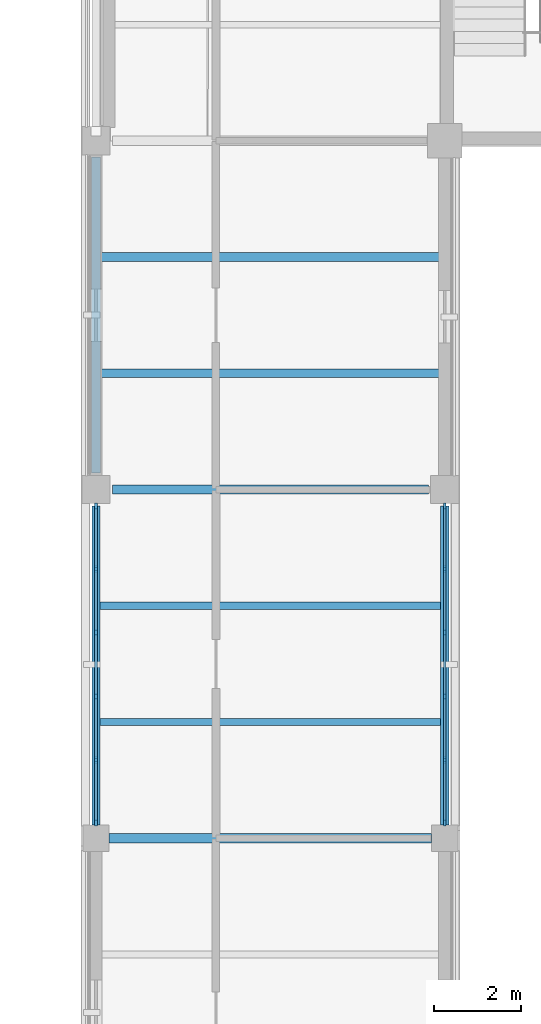
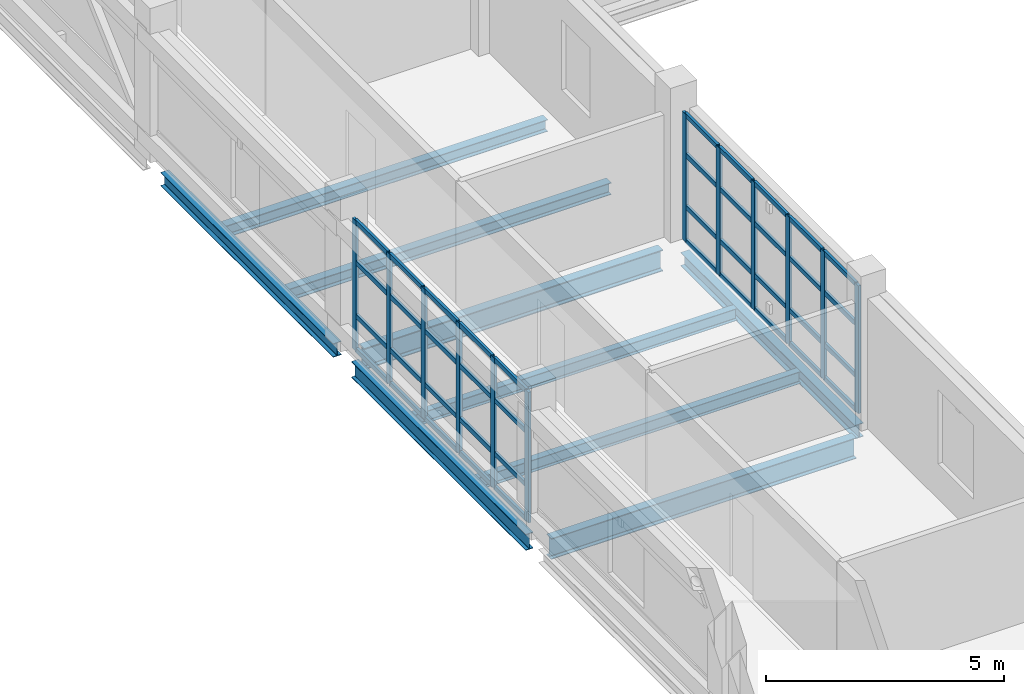
# One storey, part 32 of 126: 52 members, 9 beams, 2 elements without a shape of their own.
"""IFC4 building model written with IfcOpenShell, lengths in metres."""

import ifcopenshell
import ifcopenshell.guid

model = None  # the IFC model being written
_history = None  # IfcOwnerHistory: only IFC2X3 demands one
_inside = {}  # id of a spatial element -> (the spatial element, [elements in it])
_under = {}  # id of a project, library or spatial element -> (it, [spatial elements below it])
_declared = {}  # id of a project -> (the project, [libraries it declares])
_typed = {}  # id of a type object -> (the type object, [elements of that type])
_made_of = {}  # id of a material, layer set ... -> (it, [elements and type objects made of it])


def new_model(schema):
    """Start an empty IFC model of exactly this schema.

    Asked for "IFC4X3", IfcOpenShell would pick the latest addendum, in which some entities
    have other attributes; the version numbers below select the first issue.
    IFC2X3 requires an IfcOwnerHistory on every rooted entity: one is made here for all.
    """
    global model, _history
    if schema == "IFC4X3":
        model = ifcopenshell.file(schema_version=(4, 3, 0, 0))
    else:
        model = ifcopenshell.file(schema=schema)
    _inside.clear()
    _under.clear()
    _declared.clear()
    _typed.clear()
    _made_of.clear()
    _history = None
    if model.schema == "IFC2X3":
        org = make("IfcOrganization", Name="unknown")
        user = make(
            "IfcPersonAndOrganization",
            ThePerson=make("IfcPerson", FamilyName="unknown"),
            TheOrganization=org,
        )
        app = make(
            "IfcApplication",
            ApplicationDeveloper=org,
            Version="unknown",
            ApplicationFullName="unknown",
            ApplicationIdentifier="unknown",
        )
        _history = make(
            "IfcOwnerHistory",
            OwningUser=user,
            OwningApplication=app,
            ChangeAction="ADDED",
            CreationDate=0,
        )
    return model


def make(cls, **values):
    """One entity of the class cls with the attributes given. An attribute that is None is left unset."""
    return model.create_entity(
        cls, **{name: value for name, value in values.items() if value is not None}
    )


def rooted(cls, **values):
    """An entity with a GlobalId (a new one), such as an element, a storey or a relation."""
    return make(cls, GlobalId=ifcopenshell.guid.new(), OwnerHistory=_history, **values)


def si_unit(unit_type, name, prefix=None):
    """IfcSIUnit, for example si_unit("LENGTHUNIT", "METRE", prefix="MILLI")."""
    return make("IfcSIUnit", UnitType=unit_type, Prefix=prefix, Name=name)


def derived_unit(unit_type, elements):
    """IfcDerivedUnit: a product of units, each with its exponent."""
    return make(
        "IfcDerivedUnit",
        Elements=[
            make("IfcDerivedUnitElement", Unit=unit, Exponent=power)
            for unit, power in elements
        ],
        UnitType=unit_type,
    )


def assignment(units):
    """IfcUnitAssignment: the units of a project."""
    return None if units is None else make("IfcUnitAssignment", Units=units)


def point(xyz):
    """IfcCartesianPoint."""
    return None if xyz is None else make("IfcCartesianPoint", Coordinates=xyz)


def direction(xyz):
    """IfcDirection."""
    return None if xyz is None else make("IfcDirection", DirectionRatios=xyz)


def frame(location, z_axis=None, x_axis=None):
    """IfcAxis2Placement3D, a coordinate frame: its origin and axes. An axis left out is left unset."""
    return make(
        "IfcAxis2Placement3D",
        Location=point(location),
        Axis=direction(z_axis),
        RefDirection=direction(x_axis),
    )


def frame_2d(location, x_axis=None):
    """IfcAxis2Placement2D, a coordinate frame in the plane: its origin and x axis."""
    return make(
        "IfcAxis2Placement2D", Location=point(location), RefDirection=direction(x_axis)
    )


def origin():
    """The frame at (0, 0, 0) with its axes left unset."""
    return frame((0.0, 0.0, 0.0))


def origin_2d():
    """The frame at (0, 0) in the plane with its x axis left unset."""
    return frame_2d((0.0, 0.0))


def place(relative_to, where):
    """IfcLocalPlacement: puts the frame where relative to a parent placement (None: the world)."""
    return make(
        "IfcLocalPlacement", PlacementRelTo=relative_to, RelativePlacement=where
    )


def context(
    kind, dimensions, precision=None, world=None, true_north=None, identifier=None
):
    """IfcGeometricRepresentationContext, for example the 3D "Model" context."""
    return make(
        "IfcGeometricRepresentationContext",
        ContextIdentifier=identifier,
        ContextType=kind,
        CoordinateSpaceDimension=dimensions,
        Precision=precision,
        WorldCoordinateSystem=world,
        TrueNorth=true_north,
    )


def subcontext(parent, identifier, kind, view, scale=None):
    """IfcGeometricRepresentationSubContext, for example "Body" below "Model"."""
    return make(
        "IfcGeometricRepresentationSubContext",
        ContextIdentifier=identifier,
        ContextType=kind,
        ParentContext=parent,
        TargetScale=scale,
        TargetView=view,
    )


def project(units=None, contexts=None):
    """IfcProject with its units and contexts."""
    return rooted(
        "IfcProject",
        Name="project",
        RepresentationContexts=contexts,
        UnitsInContext=assignment(units),
    )


def spatial(cls, under=None, at=None, **own):
    """A site, building, storey or space (cls), placed at a placement, below another one or the project."""
    s = rooted(cls, ObjectPlacement=at, **own)
    if under is not None:
        _under.setdefault(under.id(), (under, []))[1].append(s)
    return s


def profile(cls, at=None, kind="AREA", **sizes):
    """A parametric profile (cls). Its sizes go by their IFC names, for example OverallWidth=200.0."""
    return make(cls, ProfileType=kind, Position=at, **sizes)


def rectangle(**sizes):
    """IfcRectangleProfileDef."""
    return profile("IfcRectangleProfileDef", **sizes)


def i_section(**sizes):
    """IfcIShapeProfileDef."""
    return profile("IfcIShapeProfileDef", **sizes)


def extrude(swept, where, along, depth):
    """IfcExtrudedAreaSolid: the profile swept, set in the frame where, extruded along a direction by depth."""
    return make(
        "IfcExtrudedAreaSolid",
        SweptArea=swept,
        Position=where,
        ExtrudedDirection=direction(along),
        Depth=depth,
    )


def shape(context_of_items, identifier, shape_type, items):
    """IfcShapeRepresentation: the items that make up one representation, for example the "Body"."""
    return make(
        "IfcShapeRepresentation",
        ContextOfItems=context_of_items,
        RepresentationIdentifier=identifier,
        RepresentationType=shape_type,
        Items=items,
    )


def material(Name=None, Category=None):
    """IfcMaterial."""
    return make("IfcMaterial", Name=Name, Category=Category)


def layer(
    of_material, thickness, ventilated=None, Name=None, Category=None, Priority=None
):
    """IfcMaterialLayer: one layer of a wall or slab, of a material (None: an air gap)."""
    return make(
        "IfcMaterialLayer",
        Material=of_material,
        LayerThickness=thickness,
        IsVentilated=ventilated,
        Name=Name,
        Category=Category,
        Priority=Priority,
    )


def layer_set(layers, Name=None):
    """IfcMaterialLayerSet."""
    return make("IfcMaterialLayerSet", MaterialLayers=layers, LayerSetName=Name)


def material_profile(
    of_material, cross_section, Name=None, Category=None, Priority=None
):
    """IfcMaterialProfile: a cross section and its material."""
    return make(
        "IfcMaterialProfile",
        Name=Name,
        Material=of_material,
        Profile=cross_section,
        Priority=Priority,
        Category=Category,
    )


def profile_set(profiles, Name=None, composite=None):
    """IfcMaterialProfileSet."""
    return make(
        "IfcMaterialProfileSet",
        Name=Name,
        MaterialProfiles=profiles,
        CompositeProfile=composite,
    )


def made_of(thing, what):
    """Note that an element or type object is made of a material, layer set ...; save() writes the relation."""
    if what is not None:
        _made_of.setdefault(what.id(), (what, []))[1].append(thing)
    return thing


def type_object(cls, material=None, **own):
    """A type object (cls), such as IfcWallType, which elements share."""
    return made_of(rooted(cls, **own), material)


def element(
    cls,
    number,
    at=None,
    inside=None,
    cuts=None,
    type_object=None,
    material=None,
    context=None,
    identifier="Body",
    shape_type=None,
    held_by="IfcProductDefinitionShape",
    body=None,
    shapes=None,
    **own,
):
    """One element of the class cls, such as IfcWall. Its Tag is "e" and its number.

    at: its placement. inside: the storey or other place that contains it. cuts: it is an
    opening in that element (IfcRelVoidsElement). A single representation is given by context,
    identifier, shape_type and body (its items); several are given by shapes. held_by: the class
    of the entity that holds the representations. save() writes the other relations.
    """
    e = rooted(cls, Tag="e%d" % number, ObjectPlacement=at, **own)
    if body is not None:
        shapes = [shape(context, identifier, shape_type, body)]
    if shapes is not None:
        e.Representation = make(held_by, Representations=shapes)
    if inside is not None:
        _inside.setdefault(inside.id(), (inside, []))[1].append(e)
    if cuts is not None:
        rooted(
            "IfcRelVoidsElement", RelatingBuildingElement=cuts, RelatedOpeningElement=e
        )
    if type_object is not None:
        _typed.setdefault(type_object.id(), (type_object, []))[1].append(e)
    return made_of(e, material)


def aggregate(whole, parts):
    """IfcRelAggregates: a whole, such as a stair, and the parts it consists of."""
    return rooted("IfcRelAggregates", RelatingObject=whole, RelatedObjects=parts)


def save(model, path):
    """Write the relations noted so far, then the file.

    IfcRelAggregates (storeys below a building ...), IfcRelContainedInSpatialStructure (elements
    in a storey), IfcRelDefinesByType, IfcRelAssociatesMaterial and IfcRelDeclares: one each for
    every whole, place, type object, material and project.
    """
    for whole, parts in _under.values():
        aggregate(whole, parts)
    for where, things in _inside.values():
        rooted(
            "IfcRelContainedInSpatialStructure",
            RelatedElements=things,
            RelatingStructure=where,
        )
    for kind, things in _typed.values():
        rooted("IfcRelDefinesByType", RelatedObjects=things, RelatingType=kind)
    for what, things in _made_of.values():
        rooted("IfcRelAssociatesMaterial", RelatedObjects=things, RelatingMaterial=what)
    for by, libraries in _declared.values():
        rooted("IfcRelDeclares", RelatingContext=by, RelatedDefinitions=libraries)
    model.write(path)


model = new_model("IFC4")

# Units and contexts
model_context = context("Model", 3, precision=1e-05, world=origin(), true_north=direction((0.0, 1.0)))
body_context = subcontext(model_context, "Body", "Model", "MODEL_VIEW")
ifc_project = project(units=[si_unit("LENGTHUNIT", "METRE"), si_unit("AREAUNIT", "SQUARE_METRE"), si_unit("VOLUMEUNIT", "CUBIC_METRE"), si_unit("PLANEANGLEUNIT", "RADIAN"), si_unit("MASSUNIT", "GRAM", prefix="KILO"), derived_unit("THERMALTRANSMITTANCEUNIT", [(si_unit("MASSUNIT", "GRAM", prefix="KILO"), 1), (si_unit("TIMEUNIT", "SECOND"), -3), (si_unit("THERMODYNAMICTEMPERATUREUNIT", "KELVIN"), -1)])], contexts=[model_context])

# Site, building, storey
site_placement = place(None, origin())
site = spatial("IfcSite", under=ifc_project, at=site_placement, CompositionType="ELEMENT")
building_placement = place(site_placement, origin())
building = spatial("IfcBuilding", under=site, at=building_placement, Name="Veyamyaing Civic Hall", CompositionType="ELEMENT")
storey_placement = place(building_placement, frame((0.0, 0.0, 9.89990234375)))
storey = spatial("IfcBuildingStorey", under=building, at=storey_placement, Name="L02", CompositionType="ELEMENT", Elevation=9.89990234375)

# Beams
ifc_material_1 = material(Name="Steel ASTM A992", Category="steel")
ifc_material_profile_1 = material_profile(ifc_material_1, i_section(OverallWidth=0.208984375, OverallDepth=0.532958984375, WebThickness=0.01025390625, FlangeThickness=0.015625, FilletRadius=0.011962890625, at=origin_2d()), Name="W530X92")
ifc_profile_set_1 = profile_set([ifc_material_profile_1], Name="Steel ASTM A992")
beam_type_1 = type_object("IfcBeamType", Name="B-07", PredefinedType="BEAM", material=ifc_profile_set_1)
beam_1_placement = place(storey_placement, frame((0.300048828125, 72.0, -0.551513671875), z_axis=(1.0, 0.0, 0.0), x_axis=(0.0, 1.0, 0.0)))
element("IfcBeam", 1, at=beam_1_placement, inside=storey, type_object=beam_type_1, Name="Girder B-07 L02 Grid K 1-2", PredefinedType="BEAM", context=body_context, shape_type="SweptSolid", body=[
    extrude(i_section(OverallWidth=0.208984375, OverallDepth=0.532958984375, WebThickness=0.01025390625, FlangeThickness=0.015625, FilletRadius=0.011962890625, at=origin_2d()), origin(), (0.0, 0.0, 1.0), 7.39990234375),
])
ifc_material_profile_2 = material_profile(ifc_material_1, i_section(OverallWidth=0.179931640625, OverallDepth=0.4130859375, WebThickness=0.009765625, FlangeThickness=0.01611328125, FilletRadius=0.010009765625, at=origin_2d()), Name="W410X74")
ifc_profile_set_2 = profile_set([ifc_material_profile_2], Name="Steel ASTM A992")
beam_type_2 = type_object("IfcBeamType", Name="B-10", PredefinedType="SPANDREL", material=ifc_profile_set_2)
beam_2_placement = place(storey_placement, frame((0.0, 72.300048828125, -0.491455078125), z_axis=(0.0, 1.0, 0.0), x_axis=(-1.0, 0.0, 0.0)))
element("IfcBeam", 2, at=beam_2_placement, inside=storey, type_object=beam_type_2, Name="Girder B-10 L02 Grid 1 K-L", PredefinedType="SPANDREL", context=body_context, shape_type="SweptSolid", body=[
    extrude(i_section(OverallWidth=0.179931640625, OverallDepth=0.4130859375, WebThickness=0.009765625, FlangeThickness=0.01611328125, FilletRadius=0.010009765625, at=origin_2d()), origin(), (0.0, 0.0, 1.0), 7.324951171875),
])
ifc_material_profile_3 = material_profile(ifc_material_1, i_section(OverallWidth=0.2041015625, OverallDepth=0.35009765625, WebThickness=0.0078125, FlangeThickness=0.01513671875, FilletRadius=0.010009765625, at=origin_2d()), Name="W360X72")
ifc_profile_set_3 = profile_set([ifc_material_profile_3], Name="Steel ASTM A992")
beam_type_3 = type_object("IfcBeamType", Name="B-11", PredefinedType="SPANDREL", material=ifc_profile_set_3)
beam_3_placement = place(storey_placement, frame((0.0, 80.375, -0.4599609375), z_axis=(0.0, 1.0, 0.0), x_axis=(-1.0, 0.0, 0.0)))
element("IfcBeam", 3, at=beam_3_placement, inside=storey, type_object=beam_type_3, Name="Girder B-11 L02 Grid 1 L-M", PredefinedType="SPANDREL", context=body_context, shape_type="SweptSolid", body=[
    extrude(i_section(OverallWidth=0.2041015625, OverallDepth=0.35009765625, WebThickness=0.0078125, FlangeThickness=0.01513671875, FilletRadius=0.010009765625, at=origin_2d()), origin(), (0.0, 0.0, 1.0), 7.25),
])
beam_4_placement = place(storey_placement, frame((8.0, 72.300048828125, -0.4599609375), z_axis=(0.0, 1.0, 0.0), x_axis=(-1.0, 0.0, 0.0)))
element("IfcBeam", 4, at=beam_4_placement, inside=storey, type_object=beam_type_3, Name="Girder B-11 L02 Grid 2 K-L", PredefinedType="SPANDREL", context=body_context, shape_type="SweptSolid", body=[
    extrude(i_section(OverallWidth=0.2041015625, OverallDepth=0.35009765625, WebThickness=0.0078125, FlangeThickness=0.01513671875, FilletRadius=0.010009765625, at=origin_2d()), origin(), (0.0, 0.0, 1.0), 7.324951171875),
])
ifc_material_profile_4 = material_profile(ifc_material_1, i_section(OverallWidth=0.214111328125, OverallDepth=0.549072265625, WebThickness=0.0146484375, FlangeThickness=0.023681640625, FilletRadius=0.011962890625, at=origin_2d()), Name="W530X138")
ifc_profile_set_4 = profile_set([ifc_material_profile_4], Name="Steel ASTM A992")
beam_type_4 = type_object("IfcBeamType", Name="B-16", PredefinedType="BEAM", material=ifc_profile_set_4)
beam_5_placement = place(storey_placement, frame((0.375, 80.0, -0.559326171875), z_axis=(1.0, 0.0, 0.0), x_axis=(0.0, 1.0, 0.0)))
element("IfcBeam", 5, at=beam_5_placement, inside=storey, type_object=beam_type_4, Name="Girder B-16 L02 Grid L 1-2", PredefinedType="BEAM", context=body_context, shape_type="SweptSolid", body=[
    extrude(i_section(OverallWidth=0.214111328125, OverallDepth=0.549072265625, WebThickness=0.0146484375, FlangeThickness=0.023681640625, FilletRadius=0.011962890625, at=origin_2d()), origin(), (0.0, 0.0, 1.0), 7.25),
])

# Curtain wall, members
ifc_material_2 = material(Name="Anodised aluminium 6063-T6", Category="aluminium")
ifc_layer = layer(ifc_material_2, 0.159912109375, Name="Anodised aluminium 6063-T6")
ifc_layer_set = layer_set([ifc_layer], Name="Anodised aluminium 6063-T6")
curtain_wall_type = type_object("IfcCurtainWallType", Name="CW-03", PredefinedType="NOTDEFINED", material=ifc_layer_set)
curtain_wall_1_placement = place(storey_placement, origin())
curtain_wall_1 = element("IfcCurtainWall", 6, at=curtain_wall_1_placement, inside=storey, type_object=curtain_wall_type, Name="Unitized curtain wall CW-03 L02 W 1.10", PredefinedType="NOTDEFINED")
ifc_material_profile_5 = material_profile(ifc_material_2, rectangle(XDim=0.06494140625, YDim=0.159912109375, at=origin_2d()), Name="ALU-MUL-65X160")
ifc_profile_set_5 = profile_set([ifc_material_profile_5], Name="Anodised aluminium 6063-T6")
member_type_1 = type_object("IfcMemberType", Name="CWM-01", PredefinedType="MULLION", material=ifc_profile_set_5)
member_1_placement = place(storey_placement, frame((0.0, 72.362548828125, 0.0), z_axis=(0.0, 0.0, 1.0), x_axis=(-1.0, 0.0, 0.0)))
member_1 = element("IfcMember", 7, at=member_1_placement, type_object=member_type_1, Name="CW-03 mullion 1", PredefinedType="MULLION", context=body_context, shape_type="SweptSolid", body=[
    extrude(rectangle(XDim=0.06494140625, YDim=0.159912109375, at=origin_2d()), origin(), (0.0, 0.0, 1.0), 3.34716796875),
])
member_2_placement = place(storey_placement, frame((0.0, 73.79296875, 0.0), z_axis=(0.0, 0.0, 1.0), x_axis=(-1.0, 0.0, 0.0)))
member_2 = element("IfcMember", 8, at=member_2_placement, type_object=member_type_1, Name="CW-03 mullion 2", PredefinedType="MULLION", context=body_context, shape_type="SweptSolid", body=[
    extrude(rectangle(XDim=0.06494140625, YDim=0.159912109375, at=origin_2d()), origin(), (0.0, 0.0, 1.0), 3.34716796875),
])
member_3_placement = place(storey_placement, frame((0.0, 75.256103515625, 0.0), z_axis=(0.0, 0.0, 1.0), x_axis=(-1.0, 0.0, 0.0)))
member_3 = element("IfcMember", 9, at=member_3_placement, type_object=member_type_1, Name="CW-03 mullion 3", PredefinedType="MULLION", context=body_context, shape_type="SweptSolid", body=[
    extrude(rectangle(XDim=0.06494140625, YDim=0.159912109375, at=origin_2d()), origin(), (0.0, 0.0, 1.0), 3.34716796875),
])
member_4_placement = place(storey_placement, frame((0.0, 76.718994140625, 0.0), z_axis=(0.0, 0.0, 1.0), x_axis=(-1.0, 0.0, 0.0)))
member_4 = element("IfcMember", 10, at=member_4_placement, type_object=member_type_1, Name="CW-03 mullion 4", PredefinedType="MULLION", context=body_context, shape_type="SweptSolid", body=[
    extrude(rectangle(XDim=0.06494140625, YDim=0.159912109375, at=origin_2d()), origin(), (0.0, 0.0, 1.0), 3.34716796875),
])
member_5_placement = place(storey_placement, frame((0.0, 78.181884765625, 0.0), z_axis=(0.0, 0.0, 1.0), x_axis=(-1.0, 0.0, 0.0)))
member_5 = element("IfcMember", 11, at=member_5_placement, type_object=member_type_1, Name="CW-03 mullion 5", PredefinedType="MULLION", context=body_context, shape_type="SweptSolid", body=[
    extrude(rectangle(XDim=0.06494140625, YDim=0.159912109375, at=origin_2d()), origin(), (0.0, 0.0, 1.0), 3.34716796875),
])
member_6_placement = place(storey_placement, frame((0.0, 79.612548828125, 0.0), z_axis=(0.0, 0.0, 1.0), x_axis=(-1.0, 0.0, 0.0)))
member_6 = element("IfcMember", 12, at=member_6_placement, type_object=member_type_1, Name="CW-03 mullion 6", PredefinedType="MULLION", context=body_context, shape_type="SweptSolid", body=[
    extrude(rectangle(XDim=0.06494140625, YDim=0.159912109375, at=origin_2d()), origin(), (0.0, 0.0, 1.0), 3.34716796875),
])

curtain_wall_2_placement = place(storey_placement, origin())
curtain_wall_2 = element("IfcCurtainWall", 13, at=curtain_wall_2_placement, inside=storey, type_object=curtain_wall_type, Name="Unitized curtain wall CW-03 L02 E 1.10", PredefinedType="NOTDEFINED")
member_7_placement = place(storey_placement, frame((8.0, 72.362548828125, 0.0), z_axis=(0.0, 0.0, 1.0), x_axis=(-1.0, 0.0, 0.0)))
member_7 = element("IfcMember", 14, at=member_7_placement, type_object=member_type_1, Name="CW-03 mullion 1", PredefinedType="MULLION", context=body_context, shape_type="SweptSolid", body=[
    extrude(rectangle(XDim=0.06494140625, YDim=0.159912109375, at=origin_2d()), origin(), (0.0, 0.0, 1.0), 3.280029296875),
])
member_8_placement = place(storey_placement, frame((8.0, 73.79296875, 0.0), z_axis=(0.0, 0.0, 1.0), x_axis=(-1.0, 0.0, 0.0)))
member_8 = element("IfcMember", 15, at=member_8_placement, type_object=member_type_1, Name="CW-03 mullion 2", PredefinedType="MULLION", context=body_context, shape_type="SweptSolid", body=[
    extrude(rectangle(XDim=0.06494140625, YDim=0.159912109375, at=origin_2d()), origin(), (0.0, 0.0, 1.0), 3.280029296875),
])
member_9_placement = place(storey_placement, frame((8.0, 75.256103515625, 0.0), z_axis=(0.0, 0.0, 1.0), x_axis=(-1.0, 0.0, 0.0)))
member_9 = element("IfcMember", 16, at=member_9_placement, type_object=member_type_1, Name="CW-03 mullion 3", PredefinedType="MULLION", context=body_context, shape_type="SweptSolid", body=[
    extrude(rectangle(XDim=0.06494140625, YDim=0.159912109375, at=origin_2d()), origin(), (0.0, 0.0, 1.0), 3.280029296875),
])
member_10_placement = place(storey_placement, frame((8.0, 76.718994140625, 0.0), z_axis=(0.0, 0.0, 1.0), x_axis=(-1.0, 0.0, 0.0)))
member_10 = element("IfcMember", 17, at=member_10_placement, type_object=member_type_1, Name="CW-03 mullion 4", PredefinedType="MULLION", context=body_context, shape_type="SweptSolid", body=[
    extrude(rectangle(XDim=0.06494140625, YDim=0.159912109375, at=origin_2d()), origin(), (0.0, 0.0, 1.0), 3.280029296875),
])
member_11_placement = place(storey_placement, frame((8.0, 78.181884765625, 0.0), z_axis=(0.0, 0.0, 1.0), x_axis=(-1.0, 0.0, 0.0)))
member_11 = element("IfcMember", 18, at=member_11_placement, type_object=member_type_1, Name="CW-03 mullion 5", PredefinedType="MULLION", context=body_context, shape_type="SweptSolid", body=[
    extrude(rectangle(XDim=0.06494140625, YDim=0.159912109375, at=origin_2d()), origin(), (0.0, 0.0, 1.0), 3.280029296875),
])
member_12_placement = place(storey_placement, frame((8.0, 79.612548828125, 0.0), z_axis=(0.0, 0.0, 1.0), x_axis=(-1.0, 0.0, 0.0)))
member_12 = element("IfcMember", 19, at=member_12_placement, type_object=member_type_1, Name="CW-03 mullion 6", PredefinedType="MULLION", context=body_context, shape_type="SweptSolid", body=[
    extrude(rectangle(XDim=0.06494140625, YDim=0.159912109375, at=origin_2d()), origin(), (0.0, 0.0, 1.0), 3.280029296875),
])

# Member
ifc_material_profile_6 = material_profile(ifc_material_2, rectangle(XDim=0.06494140625, YDim=0.1201171875, at=origin_2d()), Name="ALU-TRN-65X120")
ifc_profile_set_6 = profile_set([ifc_material_profile_6], Name="Anodised aluminium 6063-T6")
member_type_2 = type_object("IfcMemberType", Name="CWT-01", PredefinedType="USERDEFINED", material=ifc_profile_set_6)
member_13_placement = place(storey_placement, frame((0.0, 72.39501953125, 0.03271484375), z_axis=(0.0, 1.0, 0.0), x_axis=(-1.0, 0.0, 0.0)))
member_13 = element("IfcMember", 20, at=member_13_placement, type_object=member_type_2, Name="CW-03 transom 1.1", ObjectType="TRANSOM", PredefinedType="USERDEFINED", context=body_context, shape_type="SweptSolid", body=[
    extrude(rectangle(XDim=0.06494140625, YDim=0.1201171875, at=origin_2d()), origin(), (0.0, 0.0, 1.0), 1.365478515625),
])

member_14_placement = place(storey_placement, frame((0.0, 72.39501953125, 0.900146484375), z_axis=(0.0, 1.0, 0.0), x_axis=(-1.0, 0.0, 0.0)))
member_14 = element("IfcMember", 21, at=member_14_placement, type_object=member_type_2, Name="CW-03 transom 1.2", ObjectType="TRANSOM", PredefinedType="USERDEFINED", context=body_context, shape_type="SweptSolid", body=[
    extrude(rectangle(XDim=0.06494140625, YDim=0.1201171875, at=origin_2d()), origin(), (0.0, 0.0, 1.0), 1.365478515625),
])

member_15_placement = place(storey_placement, frame((0.0, 72.39501953125, 2.276123046875), z_axis=(0.0, 1.0, 0.0), x_axis=(-1.0, 0.0, 0.0)))
member_15 = element("IfcMember", 22, at=member_15_placement, type_object=member_type_2, Name="CW-03 transom 1.3", ObjectType="TRANSOM", PredefinedType="USERDEFINED", context=body_context, shape_type="SweptSolid", body=[
    extrude(rectangle(XDim=0.06494140625, YDim=0.1201171875, at=origin_2d()), origin(), (0.0, 0.0, 1.0), 1.365478515625),
])

member_16_placement = place(storey_placement, frame((0.0, 72.39501953125, 3.314697265625), z_axis=(0.0, 1.0, 0.0), x_axis=(-1.0, 0.0, 0.0)))
member_16 = element("IfcMember", 23, at=member_16_placement, type_object=member_type_2, Name="CW-03 transom 1.4", ObjectType="TRANSOM", PredefinedType="USERDEFINED", context=body_context, shape_type="SweptSolid", body=[
    extrude(rectangle(XDim=0.06494140625, YDim=0.1201171875, at=origin_2d()), origin(), (0.0, 0.0, 1.0), 1.365478515625),
])

member_17_placement = place(storey_placement, frame((0.0, 73.825439453125, 0.03271484375), z_axis=(0.0, 1.0, 0.0), x_axis=(-1.0, 0.0, 0.0)))
member_17 = element("IfcMember", 24, at=member_17_placement, type_object=member_type_2, Name="CW-03 transom 2.1", ObjectType="TRANSOM", PredefinedType="USERDEFINED", context=body_context, shape_type="SweptSolid", body=[
    extrude(rectangle(XDim=0.06494140625, YDim=0.1201171875, at=origin_2d()), origin(), (0.0, 0.0, 1.0), 1.39794921875),
])

member_18_placement = place(storey_placement, frame((0.0, 73.825439453125, 0.900146484375), z_axis=(0.0, 1.0, 0.0), x_axis=(-1.0, 0.0, 0.0)))
member_18 = element("IfcMember", 25, at=member_18_placement, type_object=member_type_2, Name="CW-03 transom 2.2", ObjectType="TRANSOM", PredefinedType="USERDEFINED", context=body_context, shape_type="SweptSolid", body=[
    extrude(rectangle(XDim=0.06494140625, YDim=0.1201171875, at=origin_2d()), origin(), (0.0, 0.0, 1.0), 1.39794921875),
])

member_19_placement = place(storey_placement, frame((0.0, 73.825439453125, 2.276123046875), z_axis=(0.0, 1.0, 0.0), x_axis=(-1.0, 0.0, 0.0)))
member_19 = element("IfcMember", 26, at=member_19_placement, type_object=member_type_2, Name="CW-03 transom 2.3", ObjectType="TRANSOM", PredefinedType="USERDEFINED", context=body_context, shape_type="SweptSolid", body=[
    extrude(rectangle(XDim=0.06494140625, YDim=0.1201171875, at=origin_2d()), origin(), (0.0, 0.0, 1.0), 1.39794921875),
])

member_20_placement = place(storey_placement, frame((0.0, 73.825439453125, 3.314697265625), z_axis=(0.0, 1.0, 0.0), x_axis=(-1.0, 0.0, 0.0)))
member_20 = element("IfcMember", 27, at=member_20_placement, type_object=member_type_2, Name="CW-03 transom 2.4", ObjectType="TRANSOM", PredefinedType="USERDEFINED", context=body_context, shape_type="SweptSolid", body=[
    extrude(rectangle(XDim=0.06494140625, YDim=0.1201171875, at=origin_2d()), origin(), (0.0, 0.0, 1.0), 1.39794921875),
])

member_21_placement = place(storey_placement, frame((0.0, 75.28857421875, 0.03271484375), z_axis=(0.0, 1.0, 0.0), x_axis=(-1.0, 0.0, 0.0)))
member_21 = element("IfcMember", 28, at=member_21_placement, type_object=member_type_2, Name="CW-03 transom 3.1", ObjectType="TRANSOM", PredefinedType="USERDEFINED", context=body_context, shape_type="SweptSolid", body=[
    extrude(rectangle(XDim=0.06494140625, YDim=0.1201171875, at=origin_2d()), origin(), (0.0, 0.0, 1.0), 1.39794921875),
])

member_22_placement = place(storey_placement, frame((0.0, 75.28857421875, 0.900146484375), z_axis=(0.0, 1.0, 0.0), x_axis=(-1.0, 0.0, 0.0)))
member_22 = element("IfcMember", 29, at=member_22_placement, type_object=member_type_2, Name="CW-03 transom 3.2", ObjectType="TRANSOM", PredefinedType="USERDEFINED", context=body_context, shape_type="SweptSolid", body=[
    extrude(rectangle(XDim=0.06494140625, YDim=0.1201171875, at=origin_2d()), origin(), (0.0, 0.0, 1.0), 1.39794921875),
])

member_23_placement = place(storey_placement, frame((0.0, 75.28857421875, 2.276123046875), z_axis=(0.0, 1.0, 0.0), x_axis=(-1.0, 0.0, 0.0)))
member_23 = element("IfcMember", 30, at=member_23_placement, type_object=member_type_2, Name="CW-03 transom 3.3", ObjectType="TRANSOM", PredefinedType="USERDEFINED", context=body_context, shape_type="SweptSolid", body=[
    extrude(rectangle(XDim=0.06494140625, YDim=0.1201171875, at=origin_2d()), origin(), (0.0, 0.0, 1.0), 1.39794921875),
])

member_24_placement = place(storey_placement, frame((0.0, 75.28857421875, 3.314697265625), z_axis=(0.0, 1.0, 0.0), x_axis=(-1.0, 0.0, 0.0)))
member_24 = element("IfcMember", 31, at=member_24_placement, type_object=member_type_2, Name="CW-03 transom 3.4", ObjectType="TRANSOM", PredefinedType="USERDEFINED", context=body_context, shape_type="SweptSolid", body=[
    extrude(rectangle(XDim=0.06494140625, YDim=0.1201171875, at=origin_2d()), origin(), (0.0, 0.0, 1.0), 1.39794921875),
])

member_25_placement = place(storey_placement, frame((0.0, 76.75146484375, 0.03271484375), z_axis=(0.0, 1.0, 0.0), x_axis=(-1.0, 0.0, 0.0)))
member_25 = element("IfcMember", 32, at=member_25_placement, type_object=member_type_2, Name="CW-03 transom 4.1", ObjectType="TRANSOM", PredefinedType="USERDEFINED", context=body_context, shape_type="SweptSolid", body=[
    extrude(rectangle(XDim=0.06494140625, YDim=0.1201171875, at=origin_2d()), origin(), (0.0, 0.0, 1.0), 1.39794921875),
])

member_26_placement = place(storey_placement, frame((0.0, 76.75146484375, 0.900146484375), z_axis=(0.0, 1.0, 0.0), x_axis=(-1.0, 0.0, 0.0)))
member_26 = element("IfcMember", 33, at=member_26_placement, type_object=member_type_2, Name="CW-03 transom 4.2", ObjectType="TRANSOM", PredefinedType="USERDEFINED", context=body_context, shape_type="SweptSolid", body=[
    extrude(rectangle(XDim=0.06494140625, YDim=0.1201171875, at=origin_2d()), origin(), (0.0, 0.0, 1.0), 1.39794921875),
])

member_27_placement = place(storey_placement, frame((0.0, 76.75146484375, 2.276123046875), z_axis=(0.0, 1.0, 0.0), x_axis=(-1.0, 0.0, 0.0)))
member_27 = element("IfcMember", 34, at=member_27_placement, type_object=member_type_2, Name="CW-03 transom 4.3", ObjectType="TRANSOM", PredefinedType="USERDEFINED", context=body_context, shape_type="SweptSolid", body=[
    extrude(rectangle(XDim=0.06494140625, YDim=0.1201171875, at=origin_2d()), origin(), (0.0, 0.0, 1.0), 1.39794921875),
])

member_28_placement = place(storey_placement, frame((0.0, 76.75146484375, 3.314697265625), z_axis=(0.0, 1.0, 0.0), x_axis=(-1.0, 0.0, 0.0)))
member_28 = element("IfcMember", 35, at=member_28_placement, type_object=member_type_2, Name="CW-03 transom 4.4", ObjectType="TRANSOM", PredefinedType="USERDEFINED", context=body_context, shape_type="SweptSolid", body=[
    extrude(rectangle(XDim=0.06494140625, YDim=0.1201171875, at=origin_2d()), origin(), (0.0, 0.0, 1.0), 1.39794921875),
])

member_29_placement = place(storey_placement, frame((0.0, 78.214599609375, 0.03271484375), z_axis=(0.0, 1.0, 0.0), x_axis=(-1.0, 0.0, 0.0)))
member_29 = element("IfcMember", 36, at=member_29_placement, type_object=member_type_2, Name="CW-03 transom 5.1", ObjectType="TRANSOM", PredefinedType="USERDEFINED", context=body_context, shape_type="SweptSolid", body=[
    extrude(rectangle(XDim=0.06494140625, YDim=0.1201171875, at=origin_2d()), origin(), (0.0, 0.0, 1.0), 1.365478515625),
])

member_30_placement = place(storey_placement, frame((0.0, 78.214599609375, 0.900146484375), z_axis=(0.0, 1.0, 0.0), x_axis=(-1.0, 0.0, 0.0)))
member_30 = element("IfcMember", 37, at=member_30_placement, type_object=member_type_2, Name="CW-03 transom 5.2", ObjectType="TRANSOM", PredefinedType="USERDEFINED", context=body_context, shape_type="SweptSolid", body=[
    extrude(rectangle(XDim=0.06494140625, YDim=0.1201171875, at=origin_2d()), origin(), (0.0, 0.0, 1.0), 1.365478515625),
])

member_31_placement = place(storey_placement, frame((0.0, 78.214599609375, 2.276123046875), z_axis=(0.0, 1.0, 0.0), x_axis=(-1.0, 0.0, 0.0)))
member_31 = element("IfcMember", 38, at=member_31_placement, type_object=member_type_2, Name="CW-03 transom 5.3", ObjectType="TRANSOM", PredefinedType="USERDEFINED", context=body_context, shape_type="SweptSolid", body=[
    extrude(rectangle(XDim=0.06494140625, YDim=0.1201171875, at=origin_2d()), origin(), (0.0, 0.0, 1.0), 1.365478515625),
])

member_32_placement = place(storey_placement, frame((0.0, 78.214599609375, 3.314697265625), z_axis=(0.0, 1.0, 0.0), x_axis=(-1.0, 0.0, 0.0)))
member_32 = element("IfcMember", 39, at=member_32_placement, type_object=member_type_2, Name="CW-03 transom 5.4", ObjectType="TRANSOM", PredefinedType="USERDEFINED", context=body_context, shape_type="SweptSolid", body=[
    extrude(rectangle(XDim=0.06494140625, YDim=0.1201171875, at=origin_2d()), origin(), (0.0, 0.0, 1.0), 1.365478515625),
])

aggregate(curtain_wall_1, [member_1, member_2, member_3, member_4, member_5, member_6, member_13, member_14, member_15, member_16, member_17, member_18, member_19, member_20, member_21, member_22, member_23, member_24, member_25, member_26, member_27, member_28, member_29, member_30, member_31, member_32])

member_33_placement = place(storey_placement, frame((8.0, 72.39501953125, 0.03271484375), z_axis=(0.0, 1.0, 0.0), x_axis=(-1.0, 0.0, 0.0)))
member_33 = element("IfcMember", 40, at=member_33_placement, type_object=member_type_2, Name="CW-03 transom 1.1", ObjectType="TRANSOM", PredefinedType="USERDEFINED", context=body_context, shape_type="SweptSolid", body=[
    extrude(rectangle(XDim=0.06494140625, YDim=0.1201171875, at=origin_2d()), origin(), (0.0, 0.0, 1.0), 1.365478515625),
])

member_34_placement = place(storey_placement, frame((8.0, 72.39501953125, 0.900146484375), z_axis=(0.0, 1.0, 0.0), x_axis=(-1.0, 0.0, 0.0)))
member_34 = element("IfcMember", 41, at=member_34_placement, type_object=member_type_2, Name="CW-03 transom 1.2", ObjectType="TRANSOM", PredefinedType="USERDEFINED", context=body_context, shape_type="SweptSolid", body=[
    extrude(rectangle(XDim=0.06494140625, YDim=0.1201171875, at=origin_2d()), origin(), (0.0, 0.0, 1.0), 1.365478515625),
])

member_35_placement = place(storey_placement, frame((8.0, 72.39501953125, 2.23046875), z_axis=(0.0, 1.0, 0.0), x_axis=(-1.0, 0.0, 0.0)))
member_35 = element("IfcMember", 42, at=member_35_placement, type_object=member_type_2, Name="CW-03 transom 1.3", ObjectType="TRANSOM", PredefinedType="USERDEFINED", context=body_context, shape_type="SweptSolid", body=[
    extrude(rectangle(XDim=0.06494140625, YDim=0.1201171875, at=origin_2d()), origin(), (0.0, 0.0, 1.0), 1.365478515625),
])

member_36_placement = place(storey_placement, frame((8.0, 72.39501953125, 3.24755859375), z_axis=(0.0, 1.0, 0.0), x_axis=(-1.0, 0.0, 0.0)))
member_36 = element("IfcMember", 43, at=member_36_placement, type_object=member_type_2, Name="CW-03 transom 1.4", ObjectType="TRANSOM", PredefinedType="USERDEFINED", context=body_context, shape_type="SweptSolid", body=[
    extrude(rectangle(XDim=0.06494140625, YDim=0.1201171875, at=origin_2d()), origin(), (0.0, 0.0, 1.0), 1.365478515625),
])

member_37_placement = place(storey_placement, frame((8.0, 73.825439453125, 0.03271484375), z_axis=(0.0, 1.0, 0.0), x_axis=(-1.0, 0.0, 0.0)))
member_37 = element("IfcMember", 44, at=member_37_placement, type_object=member_type_2, Name="CW-03 transom 2.1", ObjectType="TRANSOM", PredefinedType="USERDEFINED", context=body_context, shape_type="SweptSolid", body=[
    extrude(rectangle(XDim=0.06494140625, YDim=0.1201171875, at=origin_2d()), origin(), (0.0, 0.0, 1.0), 1.39794921875),
])

member_38_placement = place(storey_placement, frame((8.0, 73.825439453125, 0.900146484375), z_axis=(0.0, 1.0, 0.0), x_axis=(-1.0, 0.0, 0.0)))
member_38 = element("IfcMember", 45, at=member_38_placement, type_object=member_type_2, Name="CW-03 transom 2.2", ObjectType="TRANSOM", PredefinedType="USERDEFINED", context=body_context, shape_type="SweptSolid", body=[
    extrude(rectangle(XDim=0.06494140625, YDim=0.1201171875, at=origin_2d()), origin(), (0.0, 0.0, 1.0), 1.39794921875),
])

member_39_placement = place(storey_placement, frame((8.0, 73.825439453125, 2.23046875), z_axis=(0.0, 1.0, 0.0), x_axis=(-1.0, 0.0, 0.0)))
member_39 = element("IfcMember", 46, at=member_39_placement, type_object=member_type_2, Name="CW-03 transom 2.3", ObjectType="TRANSOM", PredefinedType="USERDEFINED", context=body_context, shape_type="SweptSolid", body=[
    extrude(rectangle(XDim=0.06494140625, YDim=0.1201171875, at=origin_2d()), origin(), (0.0, 0.0, 1.0), 1.39794921875),
])

member_40_placement = place(storey_placement, frame((8.0, 73.825439453125, 3.24755859375), z_axis=(0.0, 1.0, 0.0), x_axis=(-1.0, 0.0, 0.0)))
member_40 = element("IfcMember", 47, at=member_40_placement, type_object=member_type_2, Name="CW-03 transom 2.4", ObjectType="TRANSOM", PredefinedType="USERDEFINED", context=body_context, shape_type="SweptSolid", body=[
    extrude(rectangle(XDim=0.06494140625, YDim=0.1201171875, at=origin_2d()), origin(), (0.0, 0.0, 1.0), 1.39794921875),
])

member_41_placement = place(storey_placement, frame((8.0, 75.28857421875, 0.03271484375), z_axis=(0.0, 1.0, 0.0), x_axis=(-1.0, 0.0, 0.0)))
member_41 = element("IfcMember", 48, at=member_41_placement, type_object=member_type_2, Name="CW-03 transom 3.1", ObjectType="TRANSOM", PredefinedType="USERDEFINED", context=body_context, shape_type="SweptSolid", body=[
    extrude(rectangle(XDim=0.06494140625, YDim=0.1201171875, at=origin_2d()), origin(), (0.0, 0.0, 1.0), 1.39794921875),
])

member_42_placement = place(storey_placement, frame((8.0, 75.28857421875, 0.900146484375), z_axis=(0.0, 1.0, 0.0), x_axis=(-1.0, 0.0, 0.0)))
member_42 = element("IfcMember", 49, at=member_42_placement, type_object=member_type_2, Name="CW-03 transom 3.2", ObjectType="TRANSOM", PredefinedType="USERDEFINED", context=body_context, shape_type="SweptSolid", body=[
    extrude(rectangle(XDim=0.06494140625, YDim=0.1201171875, at=origin_2d()), origin(), (0.0, 0.0, 1.0), 1.39794921875),
])

member_43_placement = place(storey_placement, frame((8.0, 75.28857421875, 2.23046875), z_axis=(0.0, 1.0, 0.0), x_axis=(-1.0, 0.0, 0.0)))
member_43 = element("IfcMember", 50, at=member_43_placement, type_object=member_type_2, Name="CW-03 transom 3.3", ObjectType="TRANSOM", PredefinedType="USERDEFINED", context=body_context, shape_type="SweptSolid", body=[
    extrude(rectangle(XDim=0.06494140625, YDim=0.1201171875, at=origin_2d()), origin(), (0.0, 0.0, 1.0), 1.39794921875),
])

member_44_placement = place(storey_placement, frame((8.0, 75.28857421875, 3.24755859375), z_axis=(0.0, 1.0, 0.0), x_axis=(-1.0, 0.0, 0.0)))
member_44 = element("IfcMember", 51, at=member_44_placement, type_object=member_type_2, Name="CW-03 transom 3.4", ObjectType="TRANSOM", PredefinedType="USERDEFINED", context=body_context, shape_type="SweptSolid", body=[
    extrude(rectangle(XDim=0.06494140625, YDim=0.1201171875, at=origin_2d()), origin(), (0.0, 0.0, 1.0), 1.39794921875),
])

member_45_placement = place(storey_placement, frame((8.0, 76.75146484375, 0.03271484375), z_axis=(0.0, 1.0, 0.0), x_axis=(-1.0, 0.0, 0.0)))
member_45 = element("IfcMember", 52, at=member_45_placement, type_object=member_type_2, Name="CW-03 transom 4.1", ObjectType="TRANSOM", PredefinedType="USERDEFINED", context=body_context, shape_type="SweptSolid", body=[
    extrude(rectangle(XDim=0.06494140625, YDim=0.1201171875, at=origin_2d()), origin(), (0.0, 0.0, 1.0), 1.39794921875),
])

member_46_placement = place(storey_placement, frame((8.0, 76.75146484375, 0.900146484375), z_axis=(0.0, 1.0, 0.0), x_axis=(-1.0, 0.0, 0.0)))
member_46 = element("IfcMember", 53, at=member_46_placement, type_object=member_type_2, Name="CW-03 transom 4.2", ObjectType="TRANSOM", PredefinedType="USERDEFINED", context=body_context, shape_type="SweptSolid", body=[
    extrude(rectangle(XDim=0.06494140625, YDim=0.1201171875, at=origin_2d()), origin(), (0.0, 0.0, 1.0), 1.39794921875),
])

member_47_placement = place(storey_placement, frame((8.0, 76.75146484375, 2.23046875), z_axis=(0.0, 1.0, 0.0), x_axis=(-1.0, 0.0, 0.0)))
member_47 = element("IfcMember", 54, at=member_47_placement, type_object=member_type_2, Name="CW-03 transom 4.3", ObjectType="TRANSOM", PredefinedType="USERDEFINED", context=body_context, shape_type="SweptSolid", body=[
    extrude(rectangle(XDim=0.06494140625, YDim=0.1201171875, at=origin_2d()), origin(), (0.0, 0.0, 1.0), 1.39794921875),
])

member_48_placement = place(storey_placement, frame((8.0, 76.75146484375, 3.24755859375), z_axis=(0.0, 1.0, 0.0), x_axis=(-1.0, 0.0, 0.0)))
member_48 = element("IfcMember", 55, at=member_48_placement, type_object=member_type_2, Name="CW-03 transom 4.4", ObjectType="TRANSOM", PredefinedType="USERDEFINED", context=body_context, shape_type="SweptSolid", body=[
    extrude(rectangle(XDim=0.06494140625, YDim=0.1201171875, at=origin_2d()), origin(), (0.0, 0.0, 1.0), 1.39794921875),
])

member_49_placement = place(storey_placement, frame((8.0, 78.214599609375, 0.03271484375), z_axis=(0.0, 1.0, 0.0), x_axis=(-1.0, 0.0, 0.0)))
member_49 = element("IfcMember", 56, at=member_49_placement, type_object=member_type_2, Name="CW-03 transom 5.1", ObjectType="TRANSOM", PredefinedType="USERDEFINED", context=body_context, shape_type="SweptSolid", body=[
    extrude(rectangle(XDim=0.06494140625, YDim=0.1201171875, at=origin_2d()), origin(), (0.0, 0.0, 1.0), 1.365478515625),
])

member_50_placement = place(storey_placement, frame((8.0, 78.214599609375, 0.900146484375), z_axis=(0.0, 1.0, 0.0), x_axis=(-1.0, 0.0, 0.0)))
member_50 = element("IfcMember", 57, at=member_50_placement, type_object=member_type_2, Name="CW-03 transom 5.2", ObjectType="TRANSOM", PredefinedType="USERDEFINED", context=body_context, shape_type="SweptSolid", body=[
    extrude(rectangle(XDim=0.06494140625, YDim=0.1201171875, at=origin_2d()), origin(), (0.0, 0.0, 1.0), 1.365478515625),
])

member_51_placement = place(storey_placement, frame((8.0, 78.214599609375, 2.23046875), z_axis=(0.0, 1.0, 0.0), x_axis=(-1.0, 0.0, 0.0)))
member_51 = element("IfcMember", 58, at=member_51_placement, type_object=member_type_2, Name="CW-03 transom 5.3", ObjectType="TRANSOM", PredefinedType="USERDEFINED", context=body_context, shape_type="SweptSolid", body=[
    extrude(rectangle(XDim=0.06494140625, YDim=0.1201171875, at=origin_2d()), origin(), (0.0, 0.0, 1.0), 1.365478515625),
])

member_52_placement = place(storey_placement, frame((8.0, 78.214599609375, 3.24755859375), z_axis=(0.0, 1.0, 0.0), x_axis=(-1.0, 0.0, 0.0)))
member_52 = element("IfcMember", 59, at=member_52_placement, type_object=member_type_2, Name="CW-03 transom 5.4", ObjectType="TRANSOM", PredefinedType="USERDEFINED", context=body_context, shape_type="SweptSolid", body=[
    extrude(rectangle(XDim=0.06494140625, YDim=0.1201171875, at=origin_2d()), origin(), (0.0, 0.0, 1.0), 1.365478515625),
])

aggregate(curtain_wall_2, [member_7, member_8, member_9, member_10, member_11, member_12, member_33, member_34, member_35, member_36, member_37, member_38, member_39, member_40, member_41, member_42, member_43, member_44, member_45, member_46, member_47, member_48, member_49, member_50, member_51, member_52])

# Beams
ifc_material_profile_7 = material_profile(ifc_material_1, i_section(OverallWidth=0.1650390625, OverallDepth=0.31005859375, WebThickness=0.005859375, FlangeThickness=0.009765625, FilletRadius=0.010009765625, at=origin_2d()), Name="W310X39")
ifc_profile_set_7 = profile_set([ifc_material_profile_7], Name="Steel ASTM A992")
beam_type_5 = type_object("IfcBeamType", Name="J-05", PredefinedType="JOIST", material=ifc_profile_set_7)
for number, where, z_axis, x_axis, name in (
    (60, (0.087890625, 74.666748046875, -0.43994140625), (1.0, 0.0, 0.0), (0.0, 1.0, 0.0), "Composite floor joist J-05 L02 1.10.1"),
    (61, (0.087890625, 77.333251953125, -0.43994140625), (1.0, 0.0, 0.0), (0.0, 1.0, 0.0), "Composite floor joist J-05 L02 1.10.2"),
):
    element("IfcBeam", number, at=place(storey_placement, frame(where, z_axis=z_axis, x_axis=x_axis)), inside=storey, type_object=beam_type_5, Name=name, PredefinedType="JOIST", context=body_context, shape_type="SweptSolid", body=[
        extrude(i_section(OverallWidth=0.1650390625, OverallDepth=0.31005859375, WebThickness=0.005859375, FlangeThickness=0.009765625, FilletRadius=0.010009765625, at=origin_2d()), origin(), (0.0, 0.0, 1.0), 7.81201171875),
    ])
ifc_material_profile_8 = material_profile(ifc_material_1, i_section(OverallWidth=0.2041015625, OverallDepth=0.305908203125, WebThickness=0.008544921875, FlangeThickness=0.0146484375, FilletRadius=0.010009765625, at=origin_2d()), Name="W310X67")
ifc_profile_set_8 = profile_set([ifc_material_profile_8], Name="Steel ASTM A992")
beam_type_6 = type_object("IfcBeamType", Name="J-06", PredefinedType="JOIST", material=ifc_profile_set_8)
for number, where, z_axis, x_axis, name in (
    (62, (0.10009765625, 82.666748046875, -0.43798828125), (1.0, 0.0, 0.0), (0.0, 1.0, 0.0), "Composite floor joist J-06 L02 1.11.1"),
    (63, (0.10009765625, 85.333251953125, -0.43798828125), (1.0, 0.0, 0.0), (0.0, 1.0, 0.0), "Composite floor joist J-06 L02 1.11.2"),
):
    element("IfcBeam", number, at=place(storey_placement, frame(where, z_axis=z_axis, x_axis=x_axis)), inside=storey, type_object=beam_type_6, Name=name, PredefinedType="JOIST", context=body_context, shape_type="SweptSolid", body=[
        extrude(i_section(OverallWidth=0.2041015625, OverallDepth=0.305908203125, WebThickness=0.008544921875, FlangeThickness=0.0146484375, FilletRadius=0.010009765625, at=origin_2d()), origin(), (0.0, 0.0, 1.0), 7.8115234375),
    ])

save(model, "model.ifc")
